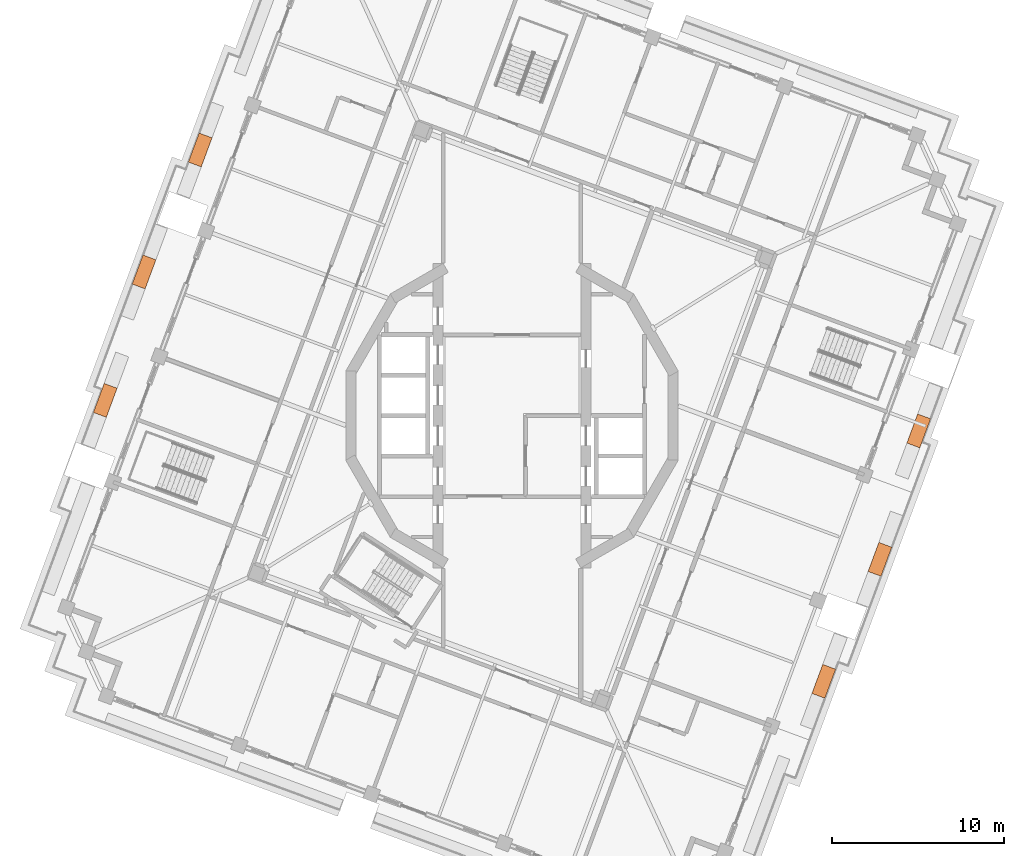
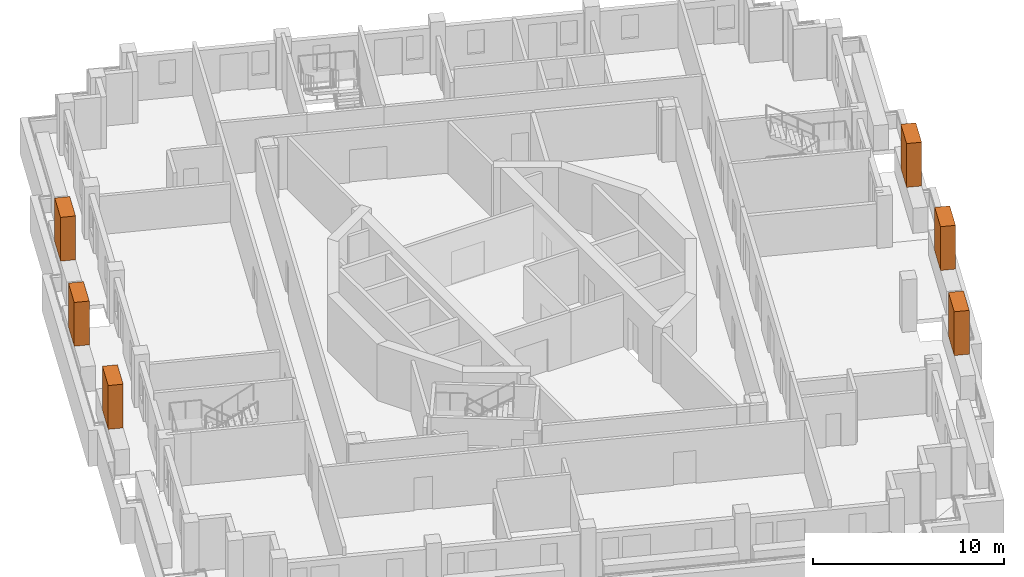
# One storey, part 18 of 18: 6 proxies.
"""IFC4 building model written with IfcOpenShell, lengths in metres."""

from ifc_helpers import new_model, si_unit, direction, frame, origin, origin_2d, place, context, subcontext, project, spatial, rectangle, extrude, element, save


model = new_model("IFC4")

# Units and contexts
model_context = context("Model", 3, precision=1e-05, world=origin(), true_north=direction((0.0, 1.0)))
body_context = subcontext(model_context, "Body", "Model", "MODEL_VIEW")
ifc_project = project(units=[si_unit("LENGTHUNIT", "METRE"), si_unit("AREAUNIT", "SQUARE_METRE"), si_unit("VOLUMEUNIT", "CUBIC_METRE"), si_unit("PLANEANGLEUNIT", "RADIAN"), si_unit("MASSUNIT", "GRAM", prefix="KILO")], contexts=[model_context])

# Site, building, storey
site_placement = place(None, origin())
site = spatial("IfcSite", under=ifc_project, at=site_placement, CompositionType="ELEMENT")
building_placement = place(site_placement, origin())
building = spatial("IfcBuilding", under=site, at=building_placement, Name="Cantera Rosa Tower", CompositionType="ELEMENT")
storey_placement = place(building_placement, frame((0.0, 0.0, 338.5)))
storey = spatial("IfcBuildingStorey", under=building, at=storey_placement, Name="L76", CompositionType="ELEMENT", Elevation=338.5)

# Proxies
for number, where, z_axis, x_axis, name in (
    (1, (-18.1162109375, 15.43701171875, 1.60009765625), (0.0, 0.0, 1.0), (-0.347481234489, -0.937686936924, 0.0), "TREE L76-06"),
    (2, (-21.37841796875, 8.348876953125, 1.60009765625), (0.0, 0.0, 1.0), (-0.347481234489, -0.937686936924, 0.0), "TREE L76-07"),
    (3, (-23.633056640625, 0.887451171875, 1.60009765625), (0.0, 0.0, 1.0), (-0.347481234489, -0.937686936924, 0.0), "TREE L76-08"),
    (4, (18.1162109375, -15.43701171875, 1.60009765625), (0.0, 0.0, 1.0), (0.347481234489, 0.937686936924, 0.0), "TREE L76-15"),
    (5, (21.37841796875, -8.348876953125, 1.60009765625), (0.0, 0.0, 1.0), (0.347481234489, 0.937686936924, 0.0), "TREE L76-16"),
    (6, (23.633056640625, -0.887451171875, 1.60009765625), (0.0, 0.0, 1.0), (0.347481234489, 0.937686936924, 0.0), "TREE L76-17"),
):
    element("IfcBuildingElementProxy", number, at=place(storey_placement, frame(where, z_axis=z_axis, x_axis=x_axis)), inside=storey, Name=name, ObjectType="TREE", PredefinedType="USERDEFINED", context=body_context, shape_type="SweptSolid", body=[
        extrude(rectangle(XDim=1.800048828125, YDim=0.800048828125, at=origin_2d()), origin(), (0.0, 0.0, 1.0), 2.800048828125),
    ])

save(model, "model.ifc")
